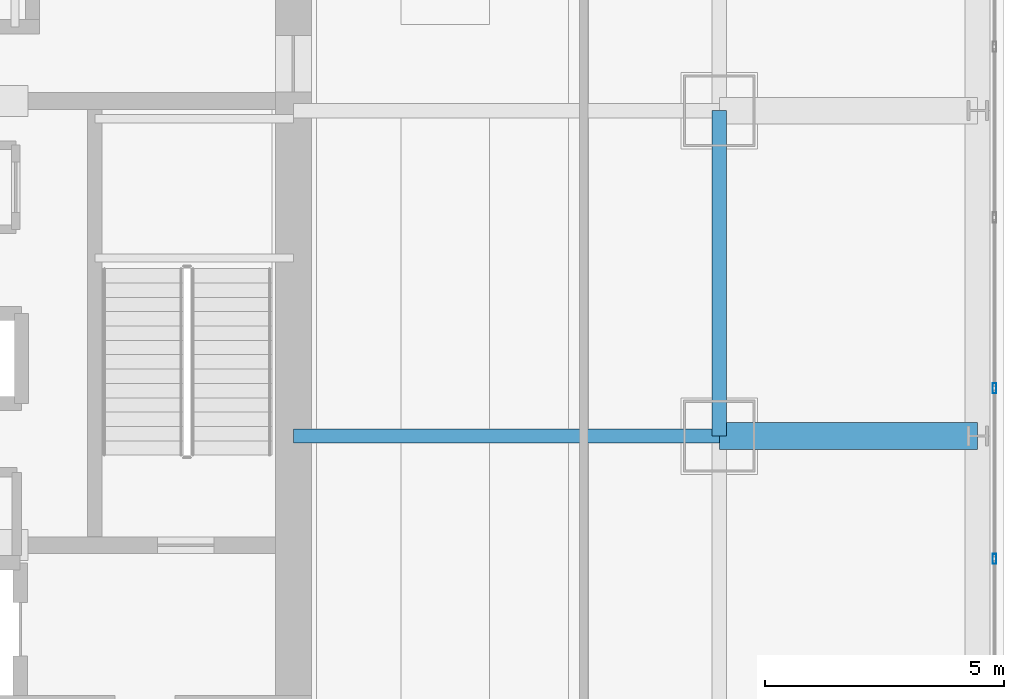
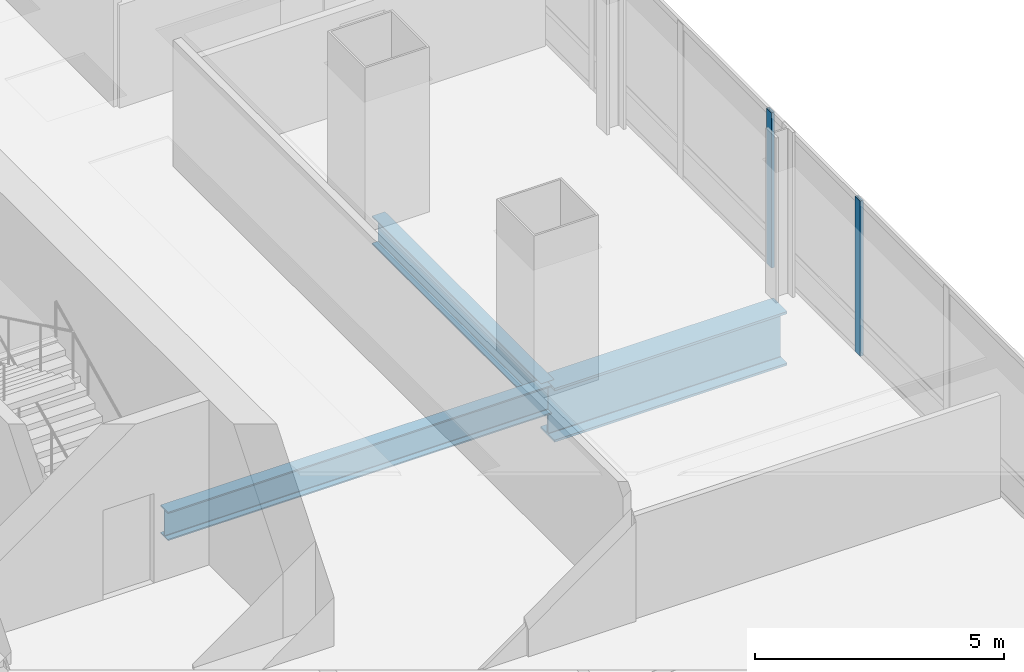
# One storey, part 14 of 40: 3 beams, 2 members, 1 element without a shape of its own.
"""IFC4 building model written with IfcOpenShell, lengths in metres."""

import ifcopenshell
import ifcopenshell.guid

model = None  # the IFC model being written
_history = None  # IfcOwnerHistory: only IFC2X3 demands one
_inside = {}  # id of a spatial element -> (the spatial element, [elements in it])
_under = {}  # id of a project, library or spatial element -> (it, [spatial elements below it])
_declared = {}  # id of a project -> (the project, [libraries it declares])
_typed = {}  # id of a type object -> (the type object, [elements of that type])
_made_of = {}  # id of a material, layer set ... -> (it, [elements and type objects made of it])


def new_model(schema):
    """Start an empty IFC model of exactly this schema.

    Asked for "IFC4X3", IfcOpenShell would pick the latest addendum, in which some entities
    have other attributes; the version numbers below select the first issue.
    IFC2X3 requires an IfcOwnerHistory on every rooted entity: one is made here for all.
    """
    global model, _history
    if schema == "IFC4X3":
        model = ifcopenshell.file(schema_version=(4, 3, 0, 0))
    else:
        model = ifcopenshell.file(schema=schema)
    _inside.clear()
    _under.clear()
    _declared.clear()
    _typed.clear()
    _made_of.clear()
    _history = None
    if model.schema == "IFC2X3":
        org = make("IfcOrganization", Name="unknown")
        user = make(
            "IfcPersonAndOrganization",
            ThePerson=make("IfcPerson", FamilyName="unknown"),
            TheOrganization=org,
        )
        app = make(
            "IfcApplication",
            ApplicationDeveloper=org,
            Version="unknown",
            ApplicationFullName="unknown",
            ApplicationIdentifier="unknown",
        )
        _history = make(
            "IfcOwnerHistory",
            OwningUser=user,
            OwningApplication=app,
            ChangeAction="ADDED",
            CreationDate=0,
        )
    return model


def make(cls, **values):
    """One entity of the class cls with the attributes given. An attribute that is None is left unset."""
    return model.create_entity(
        cls, **{name: value for name, value in values.items() if value is not None}
    )


def rooted(cls, **values):
    """An entity with a GlobalId (a new one), such as an element, a storey or a relation."""
    return make(cls, GlobalId=ifcopenshell.guid.new(), OwnerHistory=_history, **values)


def si_unit(unit_type, name, prefix=None):
    """IfcSIUnit, for example si_unit("LENGTHUNIT", "METRE", prefix="MILLI")."""
    return make("IfcSIUnit", UnitType=unit_type, Prefix=prefix, Name=name)


def assignment(units):
    """IfcUnitAssignment: the units of a project."""
    return None if units is None else make("IfcUnitAssignment", Units=units)


def point(xyz):
    """IfcCartesianPoint."""
    return None if xyz is None else make("IfcCartesianPoint", Coordinates=xyz)


def direction(xyz):
    """IfcDirection."""
    return None if xyz is None else make("IfcDirection", DirectionRatios=xyz)


def frame(location, z_axis=None, x_axis=None):
    """IfcAxis2Placement3D, a coordinate frame: its origin and axes. An axis left out is left unset."""
    return make(
        "IfcAxis2Placement3D",
        Location=point(location),
        Axis=direction(z_axis),
        RefDirection=direction(x_axis),
    )


def frame_2d(location, x_axis=None):
    """IfcAxis2Placement2D, a coordinate frame in the plane: its origin and x axis."""
    return make(
        "IfcAxis2Placement2D", Location=point(location), RefDirection=direction(x_axis)
    )


def origin():
    """The frame at (0, 0, 0) with its axes left unset."""
    return frame((0.0, 0.0, 0.0))


def origin_2d():
    """The frame at (0, 0) in the plane with its x axis left unset."""
    return frame_2d((0.0, 0.0))


def place(relative_to, where):
    """IfcLocalPlacement: puts the frame where relative to a parent placement (None: the world)."""
    return make(
        "IfcLocalPlacement", PlacementRelTo=relative_to, RelativePlacement=where
    )


def context(
    kind, dimensions, precision=None, world=None, true_north=None, identifier=None
):
    """IfcGeometricRepresentationContext, for example the 3D "Model" context."""
    return make(
        "IfcGeometricRepresentationContext",
        ContextIdentifier=identifier,
        ContextType=kind,
        CoordinateSpaceDimension=dimensions,
        Precision=precision,
        WorldCoordinateSystem=world,
        TrueNorth=true_north,
    )


def subcontext(parent, identifier, kind, view, scale=None):
    """IfcGeometricRepresentationSubContext, for example "Body" below "Model"."""
    return make(
        "IfcGeometricRepresentationSubContext",
        ContextIdentifier=identifier,
        ContextType=kind,
        ParentContext=parent,
        TargetScale=scale,
        TargetView=view,
    )


def project(units=None, contexts=None):
    """IfcProject with its units and contexts."""
    return rooted(
        "IfcProject",
        Name="project",
        RepresentationContexts=contexts,
        UnitsInContext=assignment(units),
    )


def spatial(cls, under=None, at=None, **own):
    """A site, building, storey or space (cls), placed at a placement, below another one or the project."""
    s = rooted(cls, ObjectPlacement=at, **own)
    if under is not None:
        _under.setdefault(under.id(), (under, []))[1].append(s)
    return s


def profile(cls, at=None, kind="AREA", **sizes):
    """A parametric profile (cls). Its sizes go by their IFC names, for example OverallWidth=200.0."""
    return make(cls, ProfileType=kind, Position=at, **sizes)


def hollow_rectangle(**sizes):
    """IfcRectangleHollowProfileDef."""
    return profile("IfcRectangleHollowProfileDef", **sizes)


def i_section(**sizes):
    """IfcIShapeProfileDef."""
    return profile("IfcIShapeProfileDef", **sizes)


def extrude(swept, where, along, depth):
    """IfcExtrudedAreaSolid: the profile swept, set in the frame where, extruded along a direction by depth."""
    return make(
        "IfcExtrudedAreaSolid",
        SweptArea=swept,
        Position=where,
        ExtrudedDirection=direction(along),
        Depth=depth,
    )


def shape(context_of_items, identifier, shape_type, items):
    """IfcShapeRepresentation: the items that make up one representation, for example the "Body"."""
    return make(
        "IfcShapeRepresentation",
        ContextOfItems=context_of_items,
        RepresentationIdentifier=identifier,
        RepresentationType=shape_type,
        Items=items,
    )


def material(Name=None, Category=None):
    """IfcMaterial."""
    return make("IfcMaterial", Name=Name, Category=Category)


def material_profile(
    of_material, cross_section, Name=None, Category=None, Priority=None
):
    """IfcMaterialProfile: a cross section and its material."""
    return make(
        "IfcMaterialProfile",
        Name=Name,
        Material=of_material,
        Profile=cross_section,
        Priority=Priority,
        Category=Category,
    )


def profile_set(profiles, Name=None, composite=None):
    """IfcMaterialProfileSet."""
    return make(
        "IfcMaterialProfileSet",
        Name=Name,
        MaterialProfiles=profiles,
        CompositeProfile=composite,
    )


def made_of(thing, what):
    """Note that an element or type object is made of a material, layer set ...; save() writes the relation."""
    if what is not None:
        _made_of.setdefault(what.id(), (what, []))[1].append(thing)
    return thing


def type_object(cls, material=None, **own):
    """A type object (cls), such as IfcWallType, which elements share."""
    return made_of(rooted(cls, **own), material)


def element(
    cls,
    number,
    at=None,
    inside=None,
    cuts=None,
    type_object=None,
    material=None,
    context=None,
    identifier="Body",
    shape_type=None,
    held_by="IfcProductDefinitionShape",
    body=None,
    shapes=None,
    **own,
):
    """One element of the class cls, such as IfcWall. Its Tag is "e" and its number.

    at: its placement. inside: the storey or other place that contains it. cuts: it is an
    opening in that element (IfcRelVoidsElement). A single representation is given by context,
    identifier, shape_type and body (its items); several are given by shapes. held_by: the class
    of the entity that holds the representations. save() writes the other relations.
    """
    e = rooted(cls, Tag="e%d" % number, ObjectPlacement=at, **own)
    if body is not None:
        shapes = [shape(context, identifier, shape_type, body)]
    if shapes is not None:
        e.Representation = make(held_by, Representations=shapes)
    if inside is not None:
        _inside.setdefault(inside.id(), (inside, []))[1].append(e)
    if cuts is not None:
        rooted(
            "IfcRelVoidsElement", RelatingBuildingElement=cuts, RelatedOpeningElement=e
        )
    if type_object is not None:
        _typed.setdefault(type_object.id(), (type_object, []))[1].append(e)
    return made_of(e, material)


def aggregate(whole, parts):
    """IfcRelAggregates: a whole, such as a stair, and the parts it consists of."""
    return rooted("IfcRelAggregates", RelatingObject=whole, RelatedObjects=parts)


def save(model, path):
    """Write the relations noted so far, then the file.

    IfcRelAggregates (storeys below a building ...), IfcRelContainedInSpatialStructure (elements
    in a storey), IfcRelDefinesByType, IfcRelAssociatesMaterial and IfcRelDeclares: one each for
    every whole, place, type object, material and project.
    """
    for whole, parts in _under.values():
        aggregate(whole, parts)
    for where, things in _inside.values():
        rooted(
            "IfcRelContainedInSpatialStructure",
            RelatedElements=things,
            RelatingStructure=where,
        )
    for kind, things in _typed.values():
        rooted("IfcRelDefinesByType", RelatedObjects=things, RelatingType=kind)
    for what, things in _made_of.values():
        rooted("IfcRelAssociatesMaterial", RelatedObjects=things, RelatingMaterial=what)
    for by, libraries in _declared.values():
        rooted("IfcRelDeclares", RelatingContext=by, RelatedDefinitions=libraries)
    model.write(path)


model = new_model("IFC4")

# Units and contexts
model_context = context("Model", 3, precision=1e-05, world=origin(), true_north=direction((0.0, 1.0)))
body_context = subcontext(model_context, "Body", "Model", "MODEL_VIEW")
ifc_project = project(units=[si_unit("LENGTHUNIT", "METRE"), si_unit("AREAUNIT", "SQUARE_METRE"), si_unit("VOLUMEUNIT", "CUBIC_METRE"), si_unit("PLANEANGLEUNIT", "RADIAN"), si_unit("MASSUNIT", "GRAM", prefix="KILO")], contexts=[model_context])

# Site, building, storey
site_placement = place(None, origin())
site = spatial("IfcSite", under=ifc_project, at=site_placement, CompositionType="ELEMENT")
building_placement = place(site_placement, origin())
building = spatial("IfcBuilding", under=site, at=building_placement, Name="Punatoya Terracotta Tower", CompositionType="ELEMENT")
storey_placement = place(building_placement, frame((0.0, 0.0, 76.800048828125)))
storey = spatial("IfcBuildingStorey", under=building, at=storey_placement, Name="L17", CompositionType="ELEMENT", Elevation=76.800048828125)

# Beams
ifc_material_1 = material(Name="Steel S355", Category="steel")
ifc_material_profile_1 = material_profile(ifc_material_1, i_section(OverallWidth=0.300048828125, OverallDepth=0.699951171875, WebThickness=0.01708984375, FlangeThickness=0.031982421875, FilletRadius=0.01806640625, at=origin_2d()))
ifc_profile_set_1 = profile_set([ifc_material_profile_1], Name="Steel S355")
beam_type_1 = type_object("IfcBeamType", Name="BM-PRI-700", PredefinedType="BEAM", material=ifc_profile_set_1)
beam_1_placement = place(storey_placement, frame((19.10009765625, -3.39990234375, -0.590087890625), z_axis=(0.0, 1.0, 0.0), x_axis=(-1.0, 0.0, 0.0)))
element("IfcBeam", 1, at=beam_1_placement, inside=storey, type_object=beam_type_1, Name="BM-L17-RG-E2", PredefinedType="BEAM", context=body_context, shape_type="SweptSolid", body=[
    extrude(i_section(OverallWidth=0.300048828125, OverallDepth=0.699951171875, WebThickness=0.01708984375, FlangeThickness=0.031982421875, FilletRadius=0.01806640625, at=origin_2d()), origin(), (0.0, 0.0, 1.0), 6.7998046875),
])
beam_2_placement = place(storey_placement, frame((10.199951171875, -3.39990234375, -0.590087890625), z_axis=(1.0, 0.0, 0.0), x_axis=(0.0, 1.0, 0.0)))
element("IfcBeam", 2, at=beam_2_placement, inside=storey, type_object=beam_type_1, Name="BM-L17-PR-ED", PredefinedType="BEAM", context=body_context, shape_type="SweptSolid", body=[
    extrude(i_section(OverallWidth=0.300048828125, OverallDepth=0.699951171875, WebThickness=0.01708984375, FlangeThickness=0.031982421875, FilletRadius=0.01806640625, at=origin_2d()), origin(), (0.0, 0.0, 1.0), 8.900146484375),
])
ifc_material_2 = material(Name="Steel S460", Category="steel")
ifc_material_profile_2 = material_profile(ifc_material_2, i_section(OverallWidth=0.56005859375, OverallDepth=1.320068359375, WebThickness=0.035888671875, FlangeThickness=0.054931640625, FilletRadius=0.01806640625, at=origin_2d()))
ifc_profile_set_2 = profile_set([ifc_material_profile_2], Name="Steel S460")
beam_type_2 = type_object("IfcBeamType", Name="BM-TG-BLK", PredefinedType="BEAM", material=ifc_profile_set_2)
beam_3_placement = place(storey_placement, frame((19.10009765625, -3.39990234375, -0.900146484375), z_axis=(1.0, 0.0, 0.0), x_axis=(0.0, 1.0, 0.0)))
element("IfcBeam", 3, at=beam_3_placement, inside=storey, type_object=beam_type_2, Name="BM-L17-CANT-E2", PredefinedType="BEAM", context=body_context, shape_type="SweptSolid", body=[
    extrude(i_section(OverallWidth=0.56005859375, OverallDepth=1.320068359375, WebThickness=0.035888671875, FlangeThickness=0.054931640625, FilletRadius=0.01806640625, at=origin_2d()), origin(), (0.0, 0.0, 1.0), 5.39990234375),
])

# Curtain wall, members
ifc_material_3 = material(Name="Aluminium 6063-T6 + Double Low-E Glass", Category="aluminium")
curtain_wall_type = type_object("IfcCurtainWallType", Name="CW-M1", PredefinedType="NOTDEFINED", material=ifc_material_3)
curtain_wall_placement = place(storey_placement, origin())
curtain_wall = element("IfcCurtainWall", 4, at=curtain_wall_placement, inside=storey, type_object=curtain_wall_type, Name="L17 Curtain Wall CW-L17-E05-1", PredefinedType="NOTDEFINED")
ifc_material_4 = material(Name="Aluminium 6063-T6", Category="aluminium")
ifc_material_profile_3 = material_profile(ifc_material_4, hollow_rectangle(XDim=0.074951171875, YDim=0.2099609375, WallThickness=0.00439453125, at=origin_2d()))
ifc_profile_set_3 = profile_set([ifc_material_profile_3], Name="Aluminium 6063-T6")
member_type = type_object("IfcMemberType", Name="CW-MUL-M1", PredefinedType="MULLION", material=ifc_profile_set_3)
member_1_placement = place(storey_placement, frame((24.85009765625, -5.96728515625, 0.0), z_axis=(0.0, 0.0, 1.0), x_axis=(1.0, 0.0, 0.0)))
member_1 = element("IfcMember", 5, at=member_1_placement, type_object=member_type, Name="CW-L17-E05-1 Mullion 04", PredefinedType="MULLION", context=body_context, shape_type="SweptSolid", body=[
    extrude(hollow_rectangle(XDim=0.074951171875, YDim=0.2099609375, WallThickness=0.00439453125, at=origin_2d()), origin(), (0.0, 0.0, 1.0), 3.81005859375),
])
member_2_placement = place(storey_placement, frame((24.85009765625, -2.39990234375, 0.0), z_axis=(0.0, 0.0, 1.0), x_axis=(1.0, 0.0, 0.0)))
member_2 = element("IfcMember", 6, at=member_2_placement, type_object=member_type, Name="CW-L17-E05-1 Mullion 05", PredefinedType="MULLION", context=body_context, shape_type="SweptSolid", body=[
    extrude(hollow_rectangle(XDim=0.074951171875, YDim=0.2099609375, WallThickness=0.00439453125, at=origin_2d()), origin(), (0.0, 0.0, 1.0), 3.81005859375),
])
aggregate(curtain_wall, [member_1, member_2])

save(model, "model.ifc")
